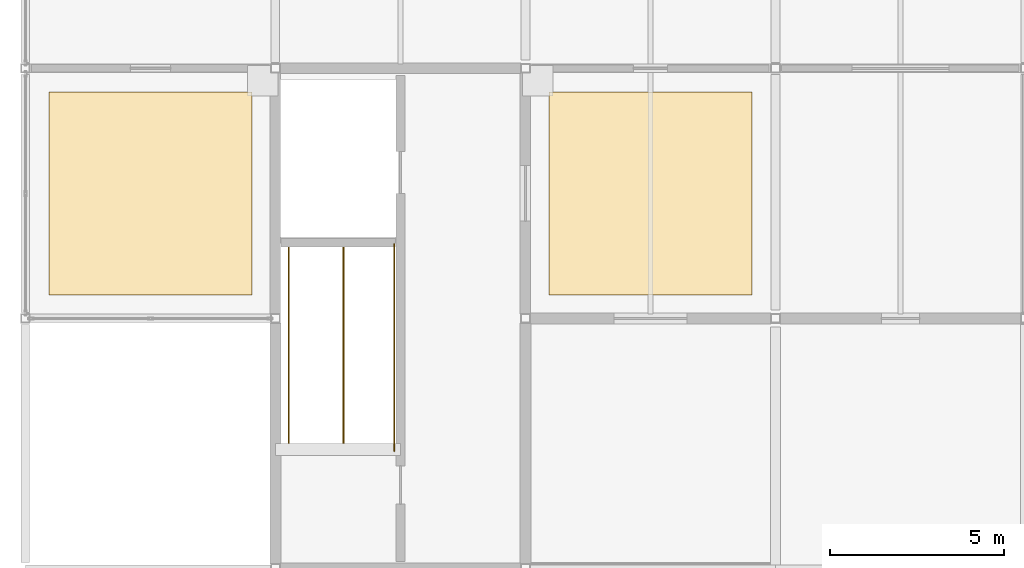
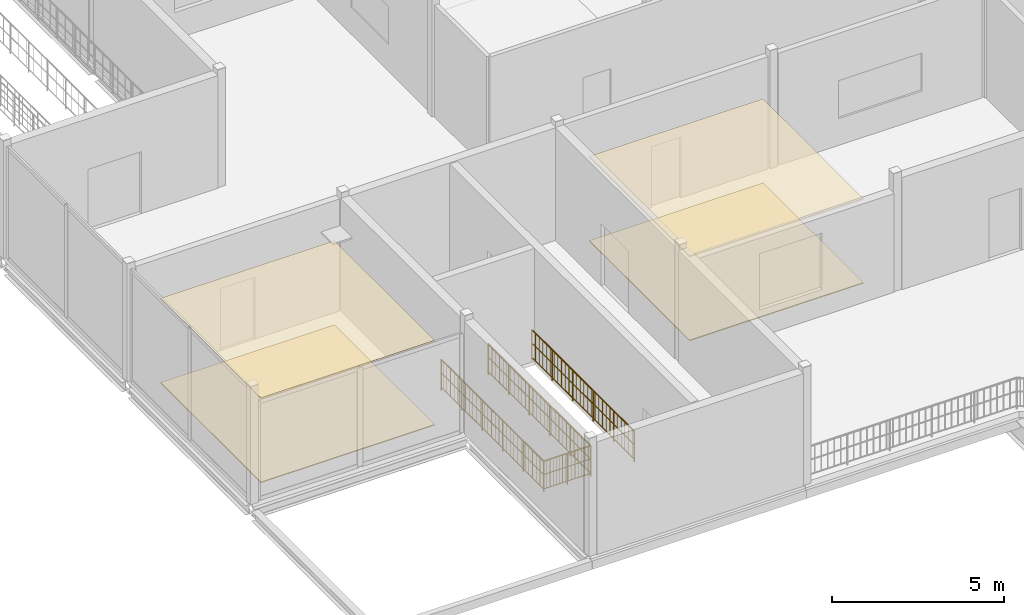
# One storey, part 14 of 18: 4 coverings, 2 railings.
"""IFC4 building model written with IfcOpenShell, lengths in metres."""

from ifc_helpers import new_model, si_unit, direction, frame, origin, origin_2d, place, context, subcontext, project, spatial, polyline, circle, outline, extrude, material, layer, layer_set, type_object, element, save


model = new_model("IFC4")

# Units and contexts
model_context = context("Model", 3, precision=1e-05, world=origin(), true_north=direction((0.0, 1.0)))
body_context = subcontext(model_context, "Body", "Model", "MODEL_VIEW")
ifc_project = project(units=[si_unit("LENGTHUNIT", "METRE"), si_unit("AREAUNIT", "SQUARE_METRE"), si_unit("VOLUMEUNIT", "CUBIC_METRE"), si_unit("PLANEANGLEUNIT", "RADIAN"), si_unit("MASSUNIT", "GRAM", prefix="KILO")], contexts=[model_context])

# Site, building, storey
site_placement = place(None, origin())
site = spatial("IfcSite", under=ifc_project, at=site_placement, CompositionType="ELEMENT")
building_placement = place(site_placement, origin())
building = spatial("IfcBuilding", under=site, at=building_placement, Name="Vesperath Aquatics Centre", CompositionType="ELEMENT")
storey_placement = place(building_placement, frame((0.0, 0.0, 23.39990234375)))
storey = spatial("IfcBuildingStorey", under=building, at=storey_placement, Name="L05", CompositionType="ELEMENT", Elevation=23.39990234375)

# Coverings
ifc_material_1 = material(Name="Perforated moisture-resistant acoustic mineral-fibre ceiling", Category="gypsum")
ifc_layer_1 = layer(ifc_material_1, 0.044921875)
ifc_layer_set_1 = layer_set([ifc_layer_1], Name="Perforated moisture-resistant acoustic mineral-fibre ceiling")
covering_type_1 = type_object("IfcCoveringType", Name="CV-CLG01", PredefinedType="CEILING", material=ifc_layer_set_1)
covering_1_placement = place(storey_placement, frame((0.0, 0.0, 2.97509765625)))
element("IfcCovering", 1, at=covering_1_placement, inside=storey, type_object=covering_type_1, Name="Acoustic Suspended Ceiling CLG1 L05_ADMIN", PredefinedType="CEILING", context=body_context, shape_type="SweptSolid", body=[
    extrude(outline(polyline([(115.8798828125, 7.8798828125), (121.719970703125, 7.8798828125), (121.719970703125, 13.719970703125), (115.8798828125, 13.719970703125), (115.8798828125, 7.8798828125)])), origin(), (0.0, 0.0, 1.0), 0.044921875),
])
covering_2_placement = place(storey_placement, frame((0.0, 0.0, 2.97509765625)))
element("IfcCovering", 2, at=covering_2_placement, inside=storey, type_object=covering_type_1, Name="Acoustic Suspended Ceiling CLG1 L05_EVENT_OPS", PredefinedType="CEILING", context=body_context, shape_type="SweptSolid", body=[
    extrude(outline(polyline([(130.280029296875, 7.8798828125), (136.1201171875, 7.8798828125), (136.1201171875, 13.719970703125), (130.280029296875, 13.719970703125), (130.280029296875, 7.8798828125)])), origin(), (0.0, 0.0, 1.0), 0.044921875),
])
ifc_material_2 = material(Name="Slip-resistant vitrified ceramic and terrazzo flooring", Category="ceramic")
ifc_layer_2 = layer(ifc_material_2, 0.030029296875)
ifc_layer_set_2 = layer_set([ifc_layer_2], Name="Slip-resistant vitrified ceramic and terrazzo flooring")
covering_type_2 = type_object("IfcCoveringType", Name="CV-FLR01", PredefinedType="FLOORING", material=ifc_layer_set_2)
covering_3_placement = place(storey_placement, origin())
element("IfcCovering", 3, at=covering_3_placement, inside=storey, type_object=covering_type_2, Name="Slip-Resistant Floor Finish FLR1 L05_ADMIN", PredefinedType="FLOORING", context=body_context, shape_type="SweptSolid", body=[
    extrude(outline(polyline([(115.8798828125, 7.8798828125), (121.719970703125, 7.8798828125), (121.719970703125, 13.719970703125), (115.8798828125, 13.719970703125), (115.8798828125, 7.8798828125)])), origin(), (0.0, 0.0, 1.0), 0.030029296875),
])
covering_4_placement = place(storey_placement, origin())
element("IfcCovering", 4, at=covering_4_placement, inside=storey, type_object=covering_type_2, Name="Slip-Resistant Floor Finish FLR1 L05_EVENT_OPS", PredefinedType="FLOORING", context=body_context, shape_type="SweptSolid", body=[
    extrude(outline(polyline([(130.280029296875, 7.8798828125), (136.1201171875, 7.8798828125), (136.1201171875, 13.719970703125), (130.280029296875, 13.719970703125), (130.280029296875, 7.8798828125)])), origin(), (0.0, 0.0, 1.0), 0.030029296875),
])

# Railings
ifc_material_3 = material(Name="Powder-coated galvanized steel safety guard", Category="steel")
railing_type = type_object("IfcRailingType", Name="RL-GRD01", PredefinedType="GUARDRAIL", material=ifc_material_3)
railing_1_placement = place(storey_placement, frame((122.780029296875, 9.340087890625, 0.0)))
element("IfcRailing", 5, at=railing_1_placement, inside=storey, type_object=railing_type, Name="Stair ST5 Top Well Guard GR02 L05", PredefinedType="GUARDRAIL", context=body_context, shape_type="SweptSolid", body=[
    extrude(circle(Radius=0.02392578125, at=origin_2d()), frame((0.0, 0.0, 1.0859375), z_axis=(0.0, -1.0, 0.0), x_axis=(1.0, 0.0, 0.0)), (0.0, 0.0, 1.0), 5.960205078125),
    extrude(circle(Radius=0.01611328125, at=origin_2d()), frame((0.0, 0.0, 0.10009765625), z_axis=(0.0, -1.0, 0.0), x_axis=(1.0, 0.0, 0.0)), (0.0, 0.0, 1.0), 5.960205078125),
    extrude(circle(Radius=0.01611328125, at=origin_2d()), frame((0.0, 0.0, 0.610595703125), z_axis=(0.0, -1.0, 0.0), x_axis=(1.0, 0.0, 0.0)), (0.0, 0.0, 1.0), 5.960205078125),
    extrude(circle(Radius=0.009033203125, at=origin_2d()), frame((0.0, -0.1083984375, 0.10009765625)), (0.0, 0.0, 1.0), 0.9619140625),
    extrude(circle(Radius=0.009033203125, at=origin_2d()), frame((0.0, -0.3251953125, 0.10009765625)), (0.0, 0.0, 1.0), 0.9619140625),
    extrude(circle(Radius=0.009033203125, at=origin_2d()), frame((0.0, -0.541748046875, 0.10009765625)), (0.0, 0.0, 1.0), 0.9619140625),
    extrude(circle(Radius=0.009033203125, at=origin_2d()), frame((0.0, -0.758544921875, 0.10009765625)), (0.0, 0.0, 1.0), 0.9619140625),
    extrude(circle(Radius=0.009033203125, at=origin_2d()), frame((0.0, -0.975341796875, 0.10009765625)), (0.0, 0.0, 1.0), 0.9619140625),
    extrude(circle(Radius=0.009033203125, at=origin_2d()), frame((0.0, -1.192138671875, 0.10009765625)), (0.0, 0.0, 1.0), 0.9619140625),
    extrude(circle(Radius=0.009033203125, at=origin_2d()), frame((0.0, -1.40869140625, 0.10009765625)), (0.0, 0.0, 1.0), 0.9619140625),
    extrude(circle(Radius=0.009033203125, at=origin_2d()), frame((0.0, -1.62548828125, 0.10009765625)), (0.0, 0.0, 1.0), 0.9619140625),
    extrude(circle(Radius=0.009033203125, at=origin_2d()), frame((0.0, -1.84228515625, 0.10009765625)), (0.0, 0.0, 1.0), 0.9619140625),
    extrude(circle(Radius=0.009033203125, at=origin_2d()), frame((0.0, -2.05908203125, 0.10009765625)), (0.0, 0.0, 1.0), 0.9619140625),
    extrude(circle(Radius=0.009033203125, at=origin_2d()), frame((0.0, -2.275634765625, 0.10009765625)), (0.0, 0.0, 1.0), 0.9619140625),
    extrude(circle(Radius=0.009033203125, at=origin_2d()), frame((0.0, -2.492431640625, 0.10009765625)), (0.0, 0.0, 1.0), 0.9619140625),
    extrude(circle(Radius=0.009033203125, at=origin_2d()), frame((0.0, -2.709228515625, 0.10009765625)), (0.0, 0.0, 1.0), 0.9619140625),
    extrude(circle(Radius=0.009033203125, at=origin_2d()), frame((0.0, -2.926025390625, 0.10009765625)), (0.0, 0.0, 1.0), 0.9619140625),
    extrude(circle(Radius=0.009033203125, at=origin_2d()), frame((0.0, -3.142578125, 0.10009765625)), (0.0, 0.0, 1.0), 0.9619140625),
    extrude(circle(Radius=0.009033203125, at=origin_2d()), frame((0.0, -3.359375, 0.10009765625)), (0.0, 0.0, 1.0), 0.9619140625),
    extrude(circle(Radius=0.009033203125, at=origin_2d()), frame((0.0, -3.576171875, 0.10009765625)), (0.0, 0.0, 1.0), 0.9619140625),
    extrude(circle(Radius=0.009033203125, at=origin_2d()), frame((0.0, -3.79296875, 0.10009765625)), (0.0, 0.0, 1.0), 0.9619140625),
    extrude(circle(Radius=0.009033203125, at=origin_2d()), frame((0.0, -4.009521484375, 0.10009765625)), (0.0, 0.0, 1.0), 0.9619140625),
    extrude(circle(Radius=0.009033203125, at=origin_2d()), frame((0.0, -4.226318359375, 0.10009765625)), (0.0, 0.0, 1.0), 0.9619140625),
    extrude(circle(Radius=0.009033203125, at=origin_2d()), frame((0.0, -4.443115234375, 0.10009765625)), (0.0, 0.0, 1.0), 0.9619140625),
    extrude(circle(Radius=0.009033203125, at=origin_2d()), frame((0.0, -4.659912109375, 0.10009765625)), (0.0, 0.0, 1.0), 0.9619140625),
    extrude(circle(Radius=0.009033203125, at=origin_2d()), frame((0.0, -4.87646484375, 0.10009765625)), (0.0, 0.0, 1.0), 0.9619140625),
    extrude(circle(Radius=0.009033203125, at=origin_2d()), frame((0.0, -5.09326171875, 0.10009765625)), (0.0, 0.0, 1.0), 0.9619140625),
    extrude(circle(Radius=0.009033203125, at=origin_2d()), frame((0.0, -5.31005859375, 0.10009765625)), (0.0, 0.0, 1.0), 0.9619140625),
    extrude(circle(Radius=0.009033203125, at=origin_2d()), frame((0.0, -5.52685546875, 0.10009765625)), (0.0, 0.0, 1.0), 0.9619140625),
    extrude(circle(Radius=0.009033203125, at=origin_2d()), frame((0.0, -5.743408203125, 0.10009765625)), (0.0, 0.0, 1.0), 0.9619140625),
    extrude(circle(Radius=0.02392578125, at=origin_2d()), frame((0.0, -5.960205078125, 1.0859375), z_axis=(1.0, 0.0, 0.0), x_axis=(0.0, 1.0, 0.0)), (0.0, 0.0, 1.0), 1.580078125),
    extrude(circle(Radius=0.01611328125, at=origin_2d()), frame((0.0, -5.960205078125, 0.10009765625), z_axis=(1.0, 0.0, 0.0), x_axis=(0.0, 1.0, 0.0)), (0.0, 0.0, 1.0), 1.580078125),
    extrude(circle(Radius=0.01611328125, at=origin_2d()), frame((0.0, -5.960205078125, 0.610595703125), z_axis=(1.0, 0.0, 0.0), x_axis=(0.0, 1.0, 0.0)), (0.0, 0.0, 1.0), 1.580078125),
    extrude(circle(Radius=0.009033203125, at=origin_2d()), frame((0.105224609375, -5.960205078125, 0.10009765625)), (0.0, 0.0, 1.0), 0.9619140625),
    extrude(circle(Radius=0.009033203125, at=origin_2d()), frame((0.210693359375, -5.960205078125, 0.10009765625)), (0.0, 0.0, 1.0), 0.9619140625),
    extrude(circle(Radius=0.009033203125, at=origin_2d()), frame((0.31591796875, -5.960205078125, 0.10009765625)), (0.0, 0.0, 1.0), 0.9619140625),
    extrude(circle(Radius=0.009033203125, at=origin_2d()), frame((0.42138671875, -5.960205078125, 0.10009765625)), (0.0, 0.0, 1.0), 0.9619140625),
    extrude(circle(Radius=0.009033203125, at=origin_2d()), frame((0.526611328125, -5.960205078125, 0.10009765625)), (0.0, 0.0, 1.0), 0.9619140625),
    extrude(circle(Radius=0.009033203125, at=origin_2d()), frame((0.632080078125, -5.960205078125, 0.10009765625)), (0.0, 0.0, 1.0), 0.9619140625),
    extrude(circle(Radius=0.009033203125, at=origin_2d()), frame((0.7373046875, -5.960205078125, 0.10009765625)), (0.0, 0.0, 1.0), 0.9619140625),
    extrude(circle(Radius=0.009033203125, at=origin_2d()), frame((0.8427734375, -5.960205078125, 0.10009765625)), (0.0, 0.0, 1.0), 0.9619140625),
    extrude(circle(Radius=0.009033203125, at=origin_2d()), frame((0.947998046875, -5.960205078125, 0.10009765625)), (0.0, 0.0, 1.0), 0.9619140625),
    extrude(circle(Radius=0.009033203125, at=origin_2d()), frame((1.053466796875, -5.960205078125, 0.10009765625)), (0.0, 0.0, 1.0), 0.9619140625),
    extrude(circle(Radius=0.009033203125, at=origin_2d()), frame((1.15869140625, -5.960205078125, 0.10009765625)), (0.0, 0.0, 1.0), 0.9619140625),
    extrude(circle(Radius=0.009033203125, at=origin_2d()), frame((1.26416015625, -5.960205078125, 0.10009765625)), (0.0, 0.0, 1.0), 0.9619140625),
    extrude(circle(Radius=0.009033203125, at=origin_2d()), frame((1.369384765625, -5.960205078125, 0.10009765625)), (0.0, 0.0, 1.0), 0.9619140625),
    extrude(circle(Radius=0.009033203125, at=origin_2d()), frame((1.474853515625, -5.960205078125, 0.10009765625)), (0.0, 0.0, 1.0), 0.9619140625),
    extrude(circle(Radius=0.02392578125, at=origin_2d()), frame((1.580078125, -5.960205078125, 1.0859375), z_axis=(0.0, 1.0, 0.0), x_axis=(-1.0, 0.0, 0.0)), (0.0, 0.0, 1.0), 5.960205078125),
    extrude(circle(Radius=0.01611328125, at=origin_2d()), frame((1.580078125, -5.960205078125, 0.10009765625), z_axis=(0.0, 1.0, 0.0), x_axis=(-1.0, 0.0, 0.0)), (0.0, 0.0, 1.0), 5.960205078125),
    extrude(circle(Radius=0.01611328125, at=origin_2d()), frame((1.580078125, -5.960205078125, 0.610595703125), z_axis=(0.0, 1.0, 0.0), x_axis=(-1.0, 0.0, 0.0)), (0.0, 0.0, 1.0), 5.960205078125),
    extrude(circle(Radius=0.009033203125, at=origin_2d()), frame((1.580078125, -5.851806640625, 0.10009765625)), (0.0, 0.0, 1.0), 0.9619140625),
    extrude(circle(Radius=0.009033203125, at=origin_2d()), frame((1.580078125, -5.635009765625, 0.10009765625)), (0.0, 0.0, 1.0), 0.9619140625),
    extrude(circle(Radius=0.009033203125, at=origin_2d()), frame((1.580078125, -5.41845703125, 0.10009765625)), (0.0, 0.0, 1.0), 0.9619140625),
    extrude(circle(Radius=0.009033203125, at=origin_2d()), frame((1.580078125, -5.20166015625, 0.10009765625)), (0.0, 0.0, 1.0), 0.9619140625),
    extrude(circle(Radius=0.009033203125, at=origin_2d()), frame((1.580078125, -4.98486328125, 0.10009765625)), (0.0, 0.0, 1.0), 0.9619140625),
    extrude(circle(Radius=0.009033203125, at=origin_2d()), frame((1.580078125, -4.76806640625, 0.10009765625)), (0.0, 0.0, 1.0), 0.9619140625),
    extrude(circle(Radius=0.009033203125, at=origin_2d()), frame((1.580078125, -4.551513671875, 0.10009765625)), (0.0, 0.0, 1.0), 0.9619140625),
    extrude(circle(Radius=0.009033203125, at=origin_2d()), frame((1.580078125, -4.334716796875, 0.10009765625)), (0.0, 0.0, 1.0), 0.9619140625),
    extrude(circle(Radius=0.009033203125, at=origin_2d()), frame((1.580078125, -4.117919921875, 0.10009765625)), (0.0, 0.0, 1.0), 0.9619140625),
    extrude(circle(Radius=0.009033203125, at=origin_2d()), frame((1.580078125, -3.901123046875, 0.10009765625)), (0.0, 0.0, 1.0), 0.9619140625),
    extrude(circle(Radius=0.009033203125, at=origin_2d()), frame((1.580078125, -3.6845703125, 0.10009765625)), (0.0, 0.0, 1.0), 0.9619140625),
    extrude(circle(Radius=0.009033203125, at=origin_2d()), frame((1.580078125, -3.4677734375, 0.10009765625)), (0.0, 0.0, 1.0), 0.9619140625),
    extrude(circle(Radius=0.009033203125, at=origin_2d()), frame((1.580078125, -3.2509765625, 0.10009765625)), (0.0, 0.0, 1.0), 0.9619140625),
    extrude(circle(Radius=0.009033203125, at=origin_2d()), frame((1.580078125, -3.0341796875, 0.10009765625)), (0.0, 0.0, 1.0), 0.9619140625),
    extrude(circle(Radius=0.009033203125, at=origin_2d()), frame((1.580078125, -2.817626953125, 0.10009765625)), (0.0, 0.0, 1.0), 0.9619140625),
    extrude(circle(Radius=0.009033203125, at=origin_2d()), frame((1.580078125, -2.600830078125, 0.10009765625)), (0.0, 0.0, 1.0), 0.9619140625),
    extrude(circle(Radius=0.009033203125, at=origin_2d()), frame((1.580078125, -2.384033203125, 0.10009765625)), (0.0, 0.0, 1.0), 0.9619140625),
    extrude(circle(Radius=0.009033203125, at=origin_2d()), frame((1.580078125, -2.167236328125, 0.10009765625)), (0.0, 0.0, 1.0), 0.9619140625),
    extrude(circle(Radius=0.009033203125, at=origin_2d()), frame((1.580078125, -1.95068359375, 0.10009765625)), (0.0, 0.0, 1.0), 0.9619140625),
    extrude(circle(Radius=0.009033203125, at=origin_2d()), frame((1.580078125, -1.73388671875, 0.10009765625)), (0.0, 0.0, 1.0), 0.9619140625),
    extrude(circle(Radius=0.009033203125, at=origin_2d()), frame((1.580078125, -1.51708984375, 0.10009765625)), (0.0, 0.0, 1.0), 0.9619140625),
    extrude(circle(Radius=0.009033203125, at=origin_2d()), frame((1.580078125, -1.30029296875, 0.10009765625)), (0.0, 0.0, 1.0), 0.9619140625),
    extrude(circle(Radius=0.009033203125, at=origin_2d()), frame((1.580078125, -1.083740234375, 0.10009765625)), (0.0, 0.0, 1.0), 0.9619140625),
    extrude(circle(Radius=0.009033203125, at=origin_2d()), frame((1.580078125, -0.866943359375, 0.10009765625)), (0.0, 0.0, 1.0), 0.9619140625),
    extrude(circle(Radius=0.009033203125, at=origin_2d()), frame((1.580078125, -0.650146484375, 0.10009765625)), (0.0, 0.0, 1.0), 0.9619140625),
    extrude(circle(Radius=0.009033203125, at=origin_2d()), frame((1.580078125, -0.433349609375, 0.10009765625)), (0.0, 0.0, 1.0), 0.9619140625),
    extrude(circle(Radius=0.009033203125, at=origin_2d()), frame((1.580078125, -0.216796875, 0.10009765625)), (0.0, 0.0, 1.0), 0.9619140625),
    extrude(circle(Radius=0.02197265625, at=origin_2d()), origin(), (0.0, 0.0, 1.0), 1.0859375),
    extrude(circle(Radius=0.02197265625, at=origin_2d()), frame((0.0, -1.192138671875, 0.0)), (0.0, 0.0, 1.0), 1.0859375),
    extrude(circle(Radius=0.02197265625, at=origin_2d()), frame((0.0, -2.384033203125, 0.0)), (0.0, 0.0, 1.0), 1.0859375),
    extrude(circle(Radius=0.02197265625, at=origin_2d()), frame((0.0, -3.576171875, 0.0)), (0.0, 0.0, 1.0), 1.0859375),
    extrude(circle(Radius=0.02197265625, at=origin_2d()), frame((0.0, -4.76806640625, 0.0)), (0.0, 0.0, 1.0), 1.0859375),
    extrude(circle(Radius=0.02197265625, at=origin_2d()), frame((0.0, -5.960205078125, 0.0)), (0.0, 0.0, 1.0), 1.0859375),
    extrude(circle(Radius=0.02197265625, at=origin_2d()), frame((0.7900390625, -5.960205078125, 0.0)), (0.0, 0.0, 1.0), 1.0859375),
    extrude(circle(Radius=0.02197265625, at=origin_2d()), frame((1.580078125, -5.960205078125, 0.0)), (0.0, 0.0, 1.0), 1.0859375),
    extrude(circle(Radius=0.02197265625, at=origin_2d()), frame((1.580078125, -4.76806640625, 0.0)), (0.0, 0.0, 1.0), 1.0859375),
    extrude(circle(Radius=0.02197265625, at=origin_2d()), frame((1.580078125, -3.576171875, 0.0)), (0.0, 0.0, 1.0), 1.0859375),
    extrude(circle(Radius=0.02197265625, at=origin_2d()), frame((1.580078125, -2.384033203125, 0.0)), (0.0, 0.0, 1.0), 1.0859375),
    extrude(circle(Radius=0.02197265625, at=origin_2d()), frame((1.580078125, -1.192138671875, 0.0)), (0.0, 0.0, 1.0), 1.0859375),
    extrude(circle(Radius=0.02197265625, at=origin_2d()), frame((1.580078125, 0.0, 0.0)), (0.0, 0.0, 1.0), 1.0859375),
])
railing_2_placement = place(storey_placement, frame((125.820068359375, 3.3798828125, 0.0)))
element("IfcRailing", 6, at=railing_2_placement, inside=storey, type_object=railing_type, Name="Stair ST5 Top Side Guard GR02 L05", PredefinedType="GUARDRAIL", context=body_context, shape_type="SweptSolid", body=[
    extrude(circle(Radius=0.02392578125, at=origin_2d()), frame((0.0, 0.0, 1.0859375), z_axis=(0.0, 1.0, 0.0), x_axis=(-1.0, 0.0, 0.0)), (0.0, 0.0, 1.0), 5.960205078125),
    extrude(circle(Radius=0.01611328125, at=origin_2d()), frame((0.0, 0.0, 0.10009765625), z_axis=(0.0, 1.0, 0.0), x_axis=(-1.0, 0.0, 0.0)), (0.0, 0.0, 1.0), 5.960205078125),
    extrude(circle(Radius=0.01611328125, at=origin_2d()), frame((0.0, 0.0, 0.610595703125), z_axis=(0.0, 1.0, 0.0), x_axis=(-1.0, 0.0, 0.0)), (0.0, 0.0, 1.0), 5.960205078125),
    extrude(circle(Radius=0.009033203125, at=origin_2d()), frame((0.0, 0.1083984375, 0.10009765625)), (0.0, 0.0, 1.0), 0.9619140625),
    extrude(circle(Radius=0.009033203125, at=origin_2d()), frame((0.0, 0.3251953125, 0.10009765625)), (0.0, 0.0, 1.0), 0.9619140625),
    extrude(circle(Radius=0.009033203125, at=origin_2d()), frame((0.0, 0.541748046875, 0.10009765625)), (0.0, 0.0, 1.0), 0.9619140625),
    extrude(circle(Radius=0.009033203125, at=origin_2d()), frame((0.0, 0.758544921875, 0.10009765625)), (0.0, 0.0, 1.0), 0.9619140625),
    extrude(circle(Radius=0.009033203125, at=origin_2d()), frame((0.0, 0.975341796875, 0.10009765625)), (0.0, 0.0, 1.0), 0.9619140625),
    extrude(circle(Radius=0.009033203125, at=origin_2d()), frame((0.0, 1.192138671875, 0.10009765625)), (0.0, 0.0, 1.0), 0.9619140625),
    extrude(circle(Radius=0.009033203125, at=origin_2d()), frame((0.0, 1.40869140625, 0.10009765625)), (0.0, 0.0, 1.0), 0.9619140625),
    extrude(circle(Radius=0.009033203125, at=origin_2d()), frame((0.0, 1.62548828125, 0.10009765625)), (0.0, 0.0, 1.0), 0.9619140625),
    extrude(circle(Radius=0.009033203125, at=origin_2d()), frame((0.0, 1.84228515625, 0.10009765625)), (0.0, 0.0, 1.0), 0.9619140625),
    extrude(circle(Radius=0.009033203125, at=origin_2d()), frame((0.0, 2.05908203125, 0.10009765625)), (0.0, 0.0, 1.0), 0.9619140625),
    extrude(circle(Radius=0.009033203125, at=origin_2d()), frame((0.0, 2.275634765625, 0.10009765625)), (0.0, 0.0, 1.0), 0.9619140625),
    extrude(circle(Radius=0.009033203125, at=origin_2d()), frame((0.0, 2.492431640625, 0.10009765625)), (0.0, 0.0, 1.0), 0.9619140625),
    extrude(circle(Radius=0.009033203125, at=origin_2d()), frame((0.0, 2.709228515625, 0.10009765625)), (0.0, 0.0, 1.0), 0.9619140625),
    extrude(circle(Radius=0.009033203125, at=origin_2d()), frame((0.0, 2.926025390625, 0.10009765625)), (0.0, 0.0, 1.0), 0.9619140625),
    extrude(circle(Radius=0.009033203125, at=origin_2d()), frame((0.0, 3.142578125, 0.10009765625)), (0.0, 0.0, 1.0), 0.9619140625),
    extrude(circle(Radius=0.009033203125, at=origin_2d()), frame((0.0, 3.359375, 0.10009765625)), (0.0, 0.0, 1.0), 0.9619140625),
    extrude(circle(Radius=0.009033203125, at=origin_2d()), frame((0.0, 3.576171875, 0.10009765625)), (0.0, 0.0, 1.0), 0.9619140625),
    extrude(circle(Radius=0.009033203125, at=origin_2d()), frame((0.0, 3.79296875, 0.10009765625)), (0.0, 0.0, 1.0), 0.9619140625),
    extrude(circle(Radius=0.009033203125, at=origin_2d()), frame((0.0, 4.009521484375, 0.10009765625)), (0.0, 0.0, 1.0), 0.9619140625),
    extrude(circle(Radius=0.009033203125, at=origin_2d()), frame((0.0, 4.226318359375, 0.10009765625)), (0.0, 0.0, 1.0), 0.9619140625),
    extrude(circle(Radius=0.009033203125, at=origin_2d()), frame((0.0, 4.443115234375, 0.10009765625)), (0.0, 0.0, 1.0), 0.9619140625),
    extrude(circle(Radius=0.009033203125, at=origin_2d()), frame((0.0, 4.659912109375, 0.10009765625)), (0.0, 0.0, 1.0), 0.9619140625),
    extrude(circle(Radius=0.009033203125, at=origin_2d()), frame((0.0, 4.87646484375, 0.10009765625)), (0.0, 0.0, 1.0), 0.9619140625),
    extrude(circle(Radius=0.009033203125, at=origin_2d()), frame((0.0, 5.09326171875, 0.10009765625)), (0.0, 0.0, 1.0), 0.9619140625),
    extrude(circle(Radius=0.009033203125, at=origin_2d()), frame((0.0, 5.31005859375, 0.10009765625)), (0.0, 0.0, 1.0), 0.9619140625),
    extrude(circle(Radius=0.009033203125, at=origin_2d()), frame((0.0, 5.52685546875, 0.10009765625)), (0.0, 0.0, 1.0), 0.9619140625),
    extrude(circle(Radius=0.009033203125, at=origin_2d()), frame((0.0, 5.743408203125, 0.10009765625)), (0.0, 0.0, 1.0), 0.9619140625),
    extrude(circle(Radius=0.02197265625, at=origin_2d()), origin(), (0.0, 0.0, 1.0), 1.0859375),
    extrude(circle(Radius=0.02197265625, at=origin_2d()), frame((0.0, 1.192138671875, 0.0)), (0.0, 0.0, 1.0), 1.0859375),
    extrude(circle(Radius=0.02197265625, at=origin_2d()), frame((0.0, 2.384033203125, 0.0)), (0.0, 0.0, 1.0), 1.0859375),
    extrude(circle(Radius=0.02197265625, at=origin_2d()), frame((0.0, 3.576171875, 0.0)), (0.0, 0.0, 1.0), 1.0859375),
    extrude(circle(Radius=0.02197265625, at=origin_2d()), frame((0.0, 4.76806640625, 0.0)), (0.0, 0.0, 1.0), 1.0859375),
    extrude(circle(Radius=0.02197265625, at=origin_2d()), frame((0.0, 5.960205078125, 0.0)), (0.0, 0.0, 1.0), 1.0859375),
])

save(model, "model.ifc")
